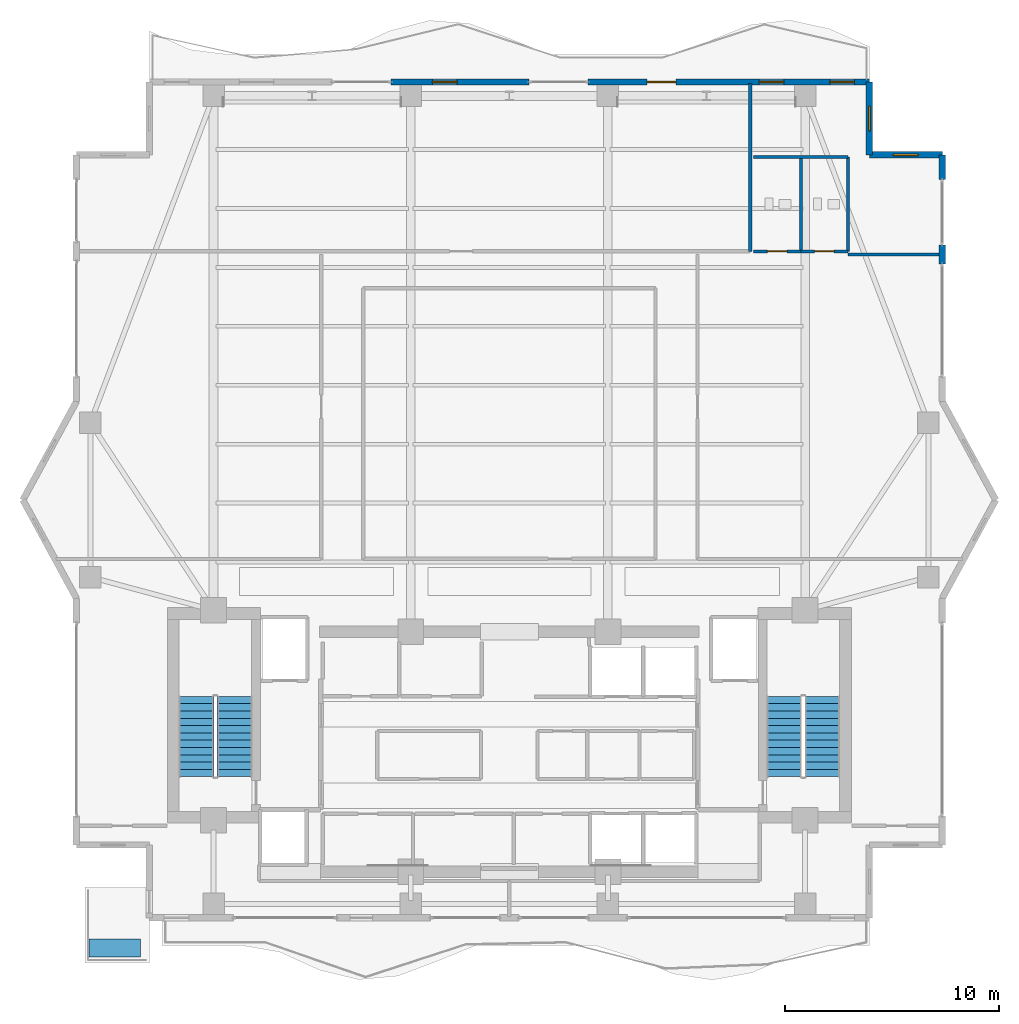
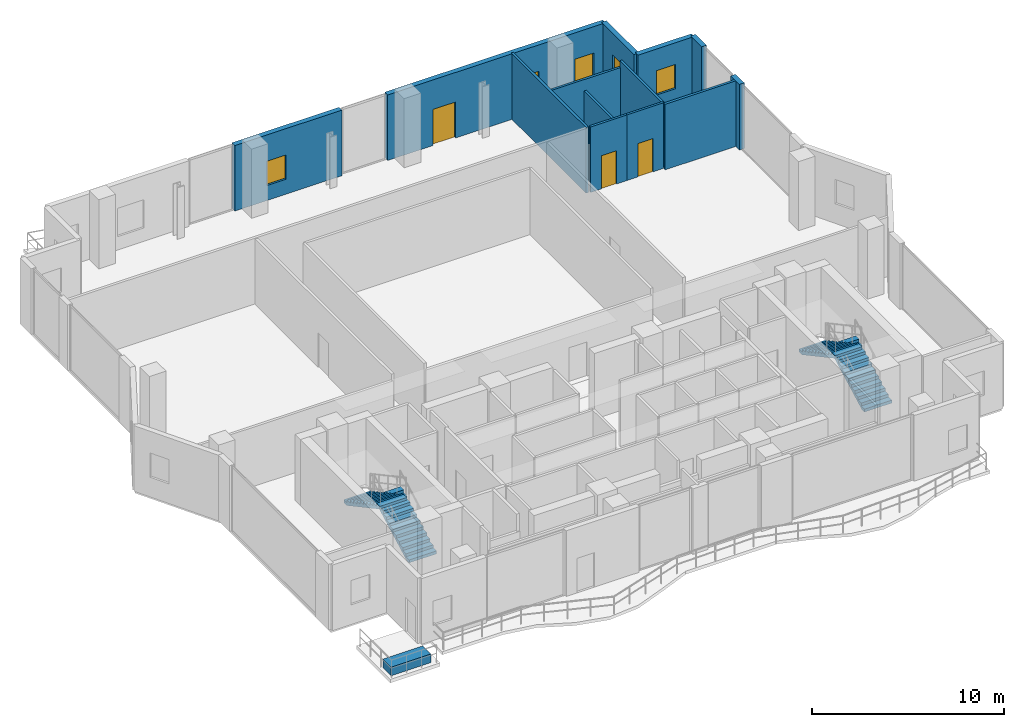
# One storey, part 21 of 24: 13 walls, 5 windows, 4 stair flights, 3 doors, 1 building element part, 8 openings, 2 elements without a shape of their own.
"""IFC4 building model written with IfcOpenShell, lengths in metres."""

from ifc_helpers import new_model, si_unit, direction, frame, frame_2d, origin, origin_2d, place, context, subcontext, project, spatial, polyline, rectangle, outline, extrude, material, layer, layer_set, type_object, element, fill, aggregate, save


model = new_model("IFC4")

# Units and contexts
model_context = context("Model", 3, precision=1e-05, world=origin(), true_north=direction((0.0, 1.0)))
body_context = subcontext(model_context, "Body", "Model", "MODEL_VIEW")
ifc_project = project(units=[si_unit("LENGTHUNIT", "METRE"), si_unit("AREAUNIT", "SQUARE_METRE"), si_unit("VOLUMEUNIT", "CUBIC_METRE"), si_unit("PLANEANGLEUNIT", "RADIAN"), si_unit("MASSUNIT", "GRAM", prefix="KILO")], contexts=[model_context])

# Site, building, storey
site_placement = place(None, origin())
site = spatial("IfcSite", under=ifc_project, at=site_placement, CompositionType="ELEMENT")
building_placement = place(site_placement, origin())
building = spatial("IfcBuilding", under=site, at=building_placement, Name="Zuhayl Quay Hotel", CompositionType="ELEMENT")
storey_placement = place(building_placement, frame((0.0, 0.0, 284.050048828125)))
storey = spatial("IfcBuildingStorey", under=building, at=storey_placement, Name="L72", CompositionType="ELEMENT", Elevation=284.050048828125)

# Wall, opening, window
ifc_material_1 = material(Name="Precast concrete C45/55", Category="concrete")
ifc_layer_1 = layer(ifc_material_1, 0.300048828125, Name="Precast concrete C45/55", Category="concrete")
ifc_layer_set_1 = layer_set([ifc_layer_1], Name="Precast concrete C45/55")
wall_type_1 = type_object("IfcWallType", Name="WL_EXT_300", PredefinedType="STANDARD", material=ifc_layer_set_1)
wall_1_placement = place(storey_placement, frame((-5.52001953125, 39.0, 0.0), z_axis=(0.0, 0.0, 1.0), x_axis=(1.0, 0.0, 0.0)))
wall_1 = element("IfcWall", 1, at=wall_1_placement, inside=storey, type_object=wall_type_1, Name="L72 Exterior Precast Wall ENV_L72_N_EW2", PredefinedType="STANDARD", context=body_context, shape_type="SweptSolid", body=[
    extrude(rectangle(XDim=6.43994140625, YDim=0.300048828125, at=frame_2d((3.219970703125, 0.0))), origin(), (0.0, 0.0, 1.0), 4.179931640625),
])
opening_1_placement = place(wall_1_placement, frame((1.93505859375, 0.0, 0.949951171875)))
opening_1 = element("IfcOpeningElement", 2, at=opening_1_placement, cuts=wall_1, Name="Opening W01N", PredefinedType="OPENING", context=body_context, shape_type="SweptSolid", body=[
    extrude(rectangle(XDim=1.14990234375, YDim=1.550048828125, at=frame_2d((0.574951171875, 0.77490234375))), frame((0.0, 0.159912109375, 0.0), z_axis=(0.0, -1.0, 0.0), x_axis=(1.0, 0.0, 0.0)), (0.0, 0.0, 1.0), 0.320068359375),
])
ifc_material_2 = material(Name="Dark Ceramic-Fritted Solar Glass", Category="glass")
window_type = type_object("IfcWindowType", Name="WN_NOTCH_1350", PartitioningType="SINGLE_PANEL", PredefinedType="WINDOW", material=ifc_material_2)
window_1_placement = place(opening_1_placement, origin())
window_1 = element("IfcWindow", 3, at=window_1_placement, inside=storey, type_object=window_type, Name="L72 Operable Facade Window 2-1", OverallHeight=1.550048828125, OverallWidth=1.14990234375, PartitioningType="SINGLE_PANEL", PredefinedType="WINDOW", context=body_context, shape_type="SweptSolid", body=[
    extrude(rectangle(XDim=1.14990234375, YDim=1.550048828125, at=frame_2d((0.574951171875, 0.77490234375))), frame((0.0, 0.030029296875, 0.0), z_axis=(0.0, -1.0, 0.0), x_axis=(1.0, 0.0, 0.0)), (0.0, 0.0, 1.0), 0.06005859375),
])
fill(opening_1, window_1)

# Wall, openings, door, windows
wall_2_placement = place(storey_placement, frame((3.679931640625, 39.0, 0.0), z_axis=(0.0, 0.0, 1.0), x_axis=(1.0, 0.0, 0.0)))
wall_2 = element("IfcWall", 4, at=wall_2_placement, inside=storey, type_object=wall_type_1, Name="L72 Exterior Precast Wall ENV_L72_N_EW3", PredefinedType="STANDARD", context=body_context, shape_type="SweptSolid", body=[
    extrude(rectangle(XDim=13.1201171875, YDim=0.300048828125, at=frame_2d((6.56005859375, 0.0))), origin(), (0.0, 0.0, 1.0), 4.179931640625),
])
opening_2_placement = place(wall_2_placement, frame((2.7451171875, 0.0, 0.0)))
opening_2 = element("IfcOpeningElement", 5, at=opening_2_placement, cuts=wall_2, Name="Opening DG2", PredefinedType="OPENING", context=body_context, shape_type="SweptSolid", body=[
    extrude(rectangle(XDim=1.35009765625, YDim=2.300048828125, at=frame_2d((0.675048828125, 1.14990234375))), frame((0.0, 0.159912109375, 0.0), z_axis=(0.0, -1.0, 0.0), x_axis=(1.0, 0.0, 0.0)), (0.0, 0.0, 1.0), 0.320068359375),
])
opening_3_placement = place(wall_2_placement, frame((7.97509765625, 0.0, 0.949951171875)))
opening_3 = element("IfcOpeningElement", 6, at=opening_3_placement, cuts=wall_2, Name="Opening W01N", PredefinedType="OPENING", context=body_context, shape_type="SweptSolid", body=[
    extrude(rectangle(XDim=1.14990234375, YDim=1.550048828125, at=frame_2d((0.574951171875, 0.77490234375))), frame((0.0, 0.159912109375, 0.0), z_axis=(0.0, -1.0, 0.0), x_axis=(1.0, 0.0, 0.0)), (0.0, 0.0, 1.0), 0.320068359375),
])
opening_4_placement = place(wall_2_placement, frame((11.27490234375, 0.0, 0.949951171875)))
opening_4 = element("IfcOpeningElement", 7, at=opening_4_placement, cuts=wall_2, Name="Opening W01N", PredefinedType="OPENING", context=body_context, shape_type="SweptSolid", body=[
    extrude(rectangle(XDim=1.14990234375, YDim=1.550048828125, at=frame_2d((0.574951171875, 0.77490234375))), frame((0.0, 0.159912109375, 0.0), z_axis=(0.0, -1.0, 0.0), x_axis=(1.0, 0.0, 0.0)), (0.0, 0.0, 1.0), 0.320068359375),
])
ifc_material_3 = material(Name="Anodised Aluminium and Dark Solar Glass", Category="aluminium")
door_type_1 = type_object("IfcDoorType", Name="DR_EXT_TERR_1350", OperationType="NOTDEFINED", PredefinedType="DOOR", material=ifc_material_3)
door_1_placement = place(opening_2_placement, origin())
door_1 = element("IfcDoor", 8, at=door_1_placement, inside=storey, type_object=door_type_1, Name="L72 North Rippling Balcony Door", OperationType="SINGLE_SWING_LEFT", OverallHeight=2.300048828125, OverallWidth=1.35009765625, PredefinedType="DOOR", context=body_context, shape_type="SweptSolid", body=[
    extrude(rectangle(XDim=1.35009765625, YDim=2.300048828125, at=frame_2d((0.675048828125, 1.14990234375))), frame((0.0, 0.02490234375, 0.0), z_axis=(0.0, -1.0, 0.0), x_axis=(1.0, 0.0, 0.0)), (0.0, 0.0, 1.0), 0.050048828125),
])
fill(opening_2, door_1)
window_2_placement = place(opening_3_placement, origin())
window_2 = element("IfcWindow", 9, at=window_2_placement, inside=storey, type_object=window_type, Name="L72 Operable Facade Window 3-1", OverallHeight=1.550048828125, OverallWidth=1.14990234375, PartitioningType="SINGLE_PANEL", PredefinedType="WINDOW", context=body_context, shape_type="SweptSolid", body=[
    extrude(rectangle(XDim=1.14990234375, YDim=1.550048828125, at=frame_2d((0.574951171875, 0.77490234375))), frame((0.0, 0.030029296875, 0.0), z_axis=(0.0, -1.0, 0.0), x_axis=(1.0, 0.0, 0.0)), (0.0, 0.0, 1.0), 0.06005859375),
])
fill(opening_3, window_2)
window_3_placement = place(opening_4_placement, origin())
window_3 = element("IfcWindow", 10, at=window_3_placement, inside=storey, type_object=window_type, Name="L72 Operable Facade Window 3-2", OverallHeight=1.550048828125, OverallWidth=1.14990234375, PartitioningType="SINGLE_PANEL", PredefinedType="WINDOW", context=body_context, shape_type="SweptSolid", body=[
    extrude(rectangle(XDim=1.14990234375, YDim=1.550048828125, at=frame_2d((0.574951171875, 0.77490234375))), frame((0.0, 0.030029296875, 0.0), z_axis=(0.0, -1.0, 0.0), x_axis=(1.0, 0.0, 0.0)), (0.0, 0.0, 1.0), 0.06005859375),
])
fill(opening_4, window_3)

# Wall, opening, window
wall_3_placement = place(storey_placement, frame((16.800048828125, 39.0, 0.0), z_axis=(0.0, 0.0, 1.0), x_axis=(0.0, -1.0, 0.0)))
wall_3 = element("IfcWall", 11, at=wall_3_placement, inside=storey, type_object=wall_type_1, Name="L72 Exterior Precast Wall ENV_L72_EW09", PredefinedType="STANDARD", context=body_context, shape_type="SweptSolid", body=[
    extrude(rectangle(XDim=3.39990234375, YDim=0.300048828125, at=frame_2d((1.699951171875, 0.0))), origin(), (0.0, 0.0, 1.0), 4.179931640625),
])
opening_5_placement = place(wall_3_placement, frame((1.125, 0.0, 1.25)))
opening_5 = element("IfcOpeningElement", 12, at=opening_5_placement, cuts=wall_3, Name="Opening W01N", PredefinedType="OPENING", context=body_context, shape_type="SweptSolid", body=[
    extrude(rectangle(XDim=1.14990234375, YDim=1.550048828125, at=frame_2d((0.574951171875, 0.77490234375))), frame((0.0, 0.159912109375, 0.0), z_axis=(0.0, -1.0, 0.0), x_axis=(1.0, 0.0, 0.0)), (0.0, 0.0, 1.0), 0.320068359375),
])
window_4_placement = place(opening_5_placement, origin())
window_4 = element("IfcWindow", 13, at=window_4_placement, inside=storey, type_object=window_type, Name="L72 Corner Notch Window 9", OverallHeight=1.550048828125, OverallWidth=1.14990234375, PartitioningType="SINGLE_PANEL", PredefinedType="WINDOW", context=body_context, shape_type="SweptSolid", body=[
    extrude(rectangle(XDim=1.14990234375, YDim=1.550048828125, at=frame_2d((0.574951171875, 0.77490234375))), frame((0.0, 0.030029296875, 0.0), z_axis=(0.0, -1.0, 0.0), x_axis=(1.0, 0.0, 0.0)), (0.0, 0.0, 1.0), 0.06005859375),
])
fill(opening_5, window_4)

wall_4_placement = place(storey_placement, frame((16.800048828125, 35.60009765625, 0.0), z_axis=(0.0, 0.0, 1.0), x_axis=(1.0, 0.0, 0.0)))
wall_4 = element("IfcWall", 14, at=wall_4_placement, inside=storey, type_object=wall_type_1, Name="L72 Exterior Precast Wall ENV_L72_EW10", PredefinedType="STANDARD", context=body_context, shape_type="SweptSolid", body=[
    extrude(rectangle(XDim=3.39990234375, YDim=0.300048828125, at=frame_2d((1.699951171875, 0.0))), origin(), (0.0, 0.0, 1.0), 4.179931640625),
])
opening_6_placement = place(wall_4_placement, frame((1.125, 0.0, 1.25)))
opening_6 = element("IfcOpeningElement", 15, at=opening_6_placement, cuts=wall_4, Name="Opening W01N", PredefinedType="OPENING", context=body_context, shape_type="SweptSolid", body=[
    extrude(rectangle(XDim=1.14990234375, YDim=1.550048828125, at=frame_2d((0.574951171875, 0.77490234375))), frame((0.0, 0.159912109375, 0.0), z_axis=(0.0, -1.0, 0.0), x_axis=(1.0, 0.0, 0.0)), (0.0, 0.0, 1.0), 0.320068359375),
])
window_5_placement = place(opening_6_placement, origin())
window_5 = element("IfcWindow", 16, at=window_5_placement, inside=storey, type_object=window_type, Name="L72 Corner Notch Window 10", OverallHeight=1.550048828125, OverallWidth=1.14990234375, PartitioningType="SINGLE_PANEL", PredefinedType="WINDOW", context=body_context, shape_type="SweptSolid", body=[
    extrude(rectangle(XDim=1.14990234375, YDim=1.550048828125, at=frame_2d((0.574951171875, 0.77490234375))), frame((0.0, 0.030029296875, 0.0), z_axis=(0.0, -1.0, 0.0), x_axis=(1.0, 0.0, 0.0)), (0.0, 0.0, 1.0), 0.06005859375),
])
fill(opening_6, window_5)

# Walls
wall_5_placement = place(storey_placement, frame((20.199951171875, 35.60009765625, 0.0), z_axis=(0.0, 0.0, 1.0), x_axis=(0.0, -1.0, 0.0)))
element("IfcWall", 17, at=wall_5_placement, inside=storey, type_object=wall_type_1, Name="L72 Exterior Precast Wall ENV_L72_E11_EW1", PredefinedType="STANDARD", context=body_context, shape_type="SweptSolid", body=[
    extrude(rectangle(XDim=1.150146484375, YDim=0.300048828125, at=frame_2d((0.5751953125, 0.0))), origin(), (0.0, 0.0, 1.0), 4.179931640625),
])
wall_6_placement = place(storey_placement, frame((20.199951171875, 31.39990234375, 0.0), z_axis=(0.0, 0.0, 1.0), x_axis=(0.0, -1.0, 0.0)))
element("IfcWall", 18, at=wall_6_placement, inside=storey, type_object=wall_type_1, Name="L72 Exterior Precast Wall ENV_L72_E11_EW2", PredefinedType="STANDARD", context=body_context, shape_type="SweptSolid", body=[
    extrude(rectangle(XDim=0.89990234375, YDim=0.300048828125, at=frame_2d((0.449951171875, 0.0))), origin(), (0.0, 0.0, 1.0), 4.179931640625),
])
ifc_material_4 = material(Name="Acoustic Gypsum Partition STC-58")
ifc_layer_2 = layer(ifc_material_4, 0.14990234375, Name="Acoustic Gypsum Partition STC-58")
ifc_layer_set_2 = layer_set([ifc_layer_2], Name="Acoustic Gypsum Partition STC-58")
wall_type_2 = type_object("IfcWallType", Name="WL_PART_150", PredefinedType="PARTITIONING", material=ifc_layer_set_2)
wall_7_placement = place(storey_placement, frame((11.239990234375, 31.10009765625, 0.0), z_axis=(0.0, 0.0, 1.0), x_axis=(0.0, 1.0, 0.0)))
element("IfcWall", 19, at=wall_7_placement, inside=storey, type_object=wall_type_2, Name="L72 Partition IW_L72_SKY_REST_E", PredefinedType="PARTITIONING", context=body_context, shape_type="SweptSolid", body=[
    extrude(rectangle(XDim=7.83984375, YDim=0.14990234375, at=frame_2d((3.919921875, 0.0))), origin(), (0.0, 0.0, 1.0), 4.179931640625),
])
wall_8_placement = place(storey_placement, frame((15.800048828125, 30.949951171875, 0.0), z_axis=(0.0, 0.0, 1.0), x_axis=(1.0, 0.0, 0.0)))
element("IfcWall", 20, at=wall_8_placement, inside=storey, type_object=wall_type_2, Name="L72 Partition IW_L72_SKY_KITCH_N", PredefinedType="PARTITIONING", context=body_context, shape_type="SweptSolid", body=[
    extrude(rectangle(XDim=4.33984375, YDim=0.14990234375, at=frame_2d((2.169921875, 0.0))), origin(), (0.0, 0.0, 1.0), 4.179931640625),
])

# Wall, opening, door
ifc_material_5 = material(Name="Moisture-Resistant Sanitarychase Gypsum")
ifc_layer_3 = layer(ifc_material_5, 0.135009765625, Name="Moisture-Resistant Sanitarychase Gypsum")
ifc_layer_set_3 = layer_set([ifc_layer_3], Name="Moisture-Resistant Sanitarychase Gypsum")
wall_type_3 = type_object("IfcWallType", Name="WL_PART_PLUMB_150", PredefinedType="PLUMBINGWALL", material=ifc_layer_set_3)
wall_9_placement = place(storey_placement, frame((11.39990234375, 31.10009765625, 0.0), z_axis=(0.0, 0.0, 1.0), x_axis=(1.0, 0.0, 0.0)))
wall_9 = element("IfcWall", 21, at=wall_9_placement, inside=storey, type_object=wall_type_3, Name="L72 Partition IW_L72_SWC_PUB_F", PredefinedType="PLUMBINGWALL", context=body_context, shape_type="SweptSolid", body=[
    extrude(rectangle(XDim=2.2001953125, YDim=0.135009765625, at=frame_2d((1.10009765625, 0.0))), origin(), (0.0, 0.0, 1.0), 4.179931640625),
])
opening_7_placement = place(wall_9_placement, frame((0.639892578125, 0.0, 0.0)))
opening_7 = element("IfcOpeningElement", 22, at=opening_7_placement, cuts=wall_9, Name="Opening D05", PredefinedType="OPENING", context=body_context, shape_type="SweptSolid", body=[
    extrude(rectangle(XDim=0.919921875, YDim=2.1201171875, at=frame_2d((0.4599609375, 1.06005859375))), frame((0.0, 0.077392578125, 0.0), z_axis=(0.0, -1.0, 0.0), x_axis=(1.0, 0.0, 0.0)), (0.0, 0.0, 1.0), 0.155029296875),
])
ifc_material_6 = material(Name="Solid Walnut Acoustic Fire Door")
door_type_2 = type_object("IfcDoorType", Name="DR_INT_950", OperationType="NOTDEFINED", PredefinedType="DOOR", material=ifc_material_6)
door_2_placement = place(opening_7_placement, origin())
door_2 = element("IfcDoor", 23, at=door_2_placement, inside=storey, type_object=door_type_2, Name="L72 Public Restroom Door", OperationType="SINGLE_SWING_RIGHT", OverallHeight=2.1201171875, OverallWidth=0.919921875, PredefinedType="DOOR", context=body_context, shape_type="SweptSolid", body=[
    extrude(rectangle(XDim=0.919921875, YDim=2.1201171875, at=frame_2d((0.4599609375, 1.06005859375))), frame((0.0, 0.02490234375, 0.0), z_axis=(0.0, -1.0, 0.0), x_axis=(1.0, 0.0, 0.0)), (0.0, 0.0, 1.0), 0.050048828125),
])
fill(opening_7, door_2)

wall_10_placement = place(storey_placement, frame((13.60009765625, 31.10009765625, 0.0), z_axis=(0.0, 0.0, 1.0), x_axis=(1.0, 0.0, 0.0)))
wall_10 = element("IfcWall", 24, at=wall_10_placement, inside=storey, type_object=wall_type_3, Name="L72 Partition IW_L72_SWC_ACC_F", PredefinedType="PLUMBINGWALL", context=body_context, shape_type="SweptSolid", body=[
    extrude(rectangle(XDim=2.199951171875, YDim=0.135009765625, at=frame_2d((1.10009765625, 0.0))), origin(), (0.0, 0.0, 1.0), 4.179931640625),
])
opening_8_placement = place(wall_10_placement, frame((0.639892578125, 0.0, 0.0)))
opening_8 = element("IfcOpeningElement", 25, at=opening_8_placement, cuts=wall_10, Name="Opening D05", PredefinedType="OPENING", context=body_context, shape_type="SweptSolid", body=[
    extrude(rectangle(XDim=0.919921875, YDim=2.1201171875, at=frame_2d((0.4599609375, 1.06005859375))), frame((0.0, 0.077392578125, 0.0), z_axis=(0.0, -1.0, 0.0), x_axis=(1.0, 0.0, 0.0)), (0.0, 0.0, 1.0), 0.155029296875),
])
door_3_placement = place(opening_8_placement, origin())
door_3 = element("IfcDoor", 26, at=door_3_placement, inside=storey, type_object=door_type_2, Name="L72 Accessible Wheelchair WC Door", OperationType="SINGLE_SWING_LEFT", OverallHeight=2.1201171875, OverallWidth=0.919921875, PredefinedType="DOOR", context=body_context, shape_type="SweptSolid", body=[
    extrude(rectangle(XDim=0.919921875, YDim=2.1201171875, at=frame_2d((0.4599609375, 1.06005859375))), frame((0.0, 0.02490234375, 0.0), z_axis=(0.0, -1.0, 0.0), x_axis=(1.0, 0.0, 0.0)), (0.0, 0.0, 1.0), 0.050048828125),
])
fill(opening_8, door_3)

# Walls
wall_11_placement = place(storey_placement, frame((11.39990234375, 35.5, 0.0), z_axis=(0.0, 0.0, 1.0), x_axis=(1.0, 0.0, 0.0)))
element("IfcWall", 27, at=wall_11_placement, inside=storey, type_object=wall_type_3, Name="L72 Partition IW_L72_SWC_BK", PredefinedType="PLUMBINGWALL", context=body_context, shape_type="SweptSolid", body=[
    extrude(rectangle(XDim=4.400146484375, YDim=0.135009765625, at=frame_2d((2.2001953125, 0.0))), origin(), (0.0, 0.0, 1.0), 3.77587890625),
])
wall_12_placement = place(storey_placement, frame((15.800048828125, 31.10009765625, 0.0), z_axis=(0.0, 0.0, 1.0), x_axis=(0.0, 1.0, 0.0)))
element("IfcWall", 28, at=wall_12_placement, inside=storey, type_object=wall_type_3, Name="L72 Partition IW_L72_SWC_E", PredefinedType="PLUMBINGWALL", context=body_context, shape_type="SweptSolid", body=[
    extrude(rectangle(XDim=4.39990234375, YDim=0.135009765625, at=frame_2d((2.199951171875, 0.0))), origin(), (0.0, 0.0, 1.0), 4.179931640625),
])
wall_13_placement = place(storey_placement, frame((13.60009765625, 31.10009765625, 0.0), z_axis=(0.0, 0.0, 1.0), x_axis=(0.0, 1.0, 0.0)))
element("IfcWall", 29, at=wall_13_placement, inside=storey, type_object=wall_type_3, Name="L72 Partition IW_L72_SWC_DIV", PredefinedType="PLUMBINGWALL", context=body_context, shape_type="SweptSolid", body=[
    extrude(rectangle(XDim=4.39990234375, YDim=0.135009765625, at=frame_2d((2.199951171875, 0.0))), origin(), (0.0, 0.0, 1.0), 3.06201171875),
])

# Stair, stair flights
ifc_material_7 = material(Name="Concrete C45/55", Category="concrete")
stair_type = type_object("IfcStairType", Name="ST_DOGLEG_TOWER", PredefinedType="HALF_TURN_STAIR", material=ifc_material_7)
stair_1_placement = place(storey_placement, origin())
stair_1 = element("IfcStair", 30, at=stair_1_placement, inside=storey, type_object=stair_type, Name="L72 Smokeproof Exit Stair ST1", PredefinedType="HALF_TURN_STAIR")
ifc_layer_4 = layer(ifc_material_7, 0.159912109375, Name="Concrete C45/55", Category="concrete")
ifc_layer_set_4 = layer_set([ifc_layer_4], Name="Concrete C45/55")
stair_flight_type = type_object("IfcStairFlightType", Name="SF_CONC_164", PredefinedType="STRAIGHT", material=ifc_layer_set_4)
stair_flight_1_placement = place(storey_placement, frame((-12.820068359375, 6.590087890625, 0.0), z_axis=(0.0, 0.0, 1.0), x_axis=(0.0, 1.0, 0.0)))
stair_flight_1 = element("IfcStairFlight", 31, at=stair_flight_1_placement, type_object=stair_flight_type, Name="ST1 flight 1", NumberOfRisers=12, NumberOfTreads=11, PredefinedType="STRAIGHT", RiserHeight=0.183333333, TreadLength=0.34, context=body_context, shape_type="SweptSolid", body=[
    extrude(outline(polyline([(0.0, 0.0), (0.0, 0.183349609375), (0.340087890625, 0.183349609375), (0.340087890625, 0.36669921875), (0.679931640625, 0.36669921875), (0.679931640625, 0.550048828125), (1.02001953125, 0.550048828125), (1.02001953125, 0.7333984375), (1.360107421875, 0.7333984375), (1.360107421875, 0.916748046875), (1.699951171875, 0.916748046875), (1.699951171875, 1.10009765625), (2.0400390625, 1.10009765625), (2.0400390625, 1.283447265625), (2.3798828125, 1.283447265625), (2.3798828125, 1.466552734375), (2.719970703125, 1.466552734375), (2.719970703125, 1.64990234375), (3.06005859375, 1.64990234375), (3.06005859375, 1.833251953125), (3.39990234375, 1.833251953125), (3.39990234375, 2.0166015625), (3.739990234375, 2.0166015625), (3.739990234375, 2.199951171875), (3.739990234375, 1.846435546875), (0.31591796875, 0.0), (0.0, 0.0)])), frame((0.0, 0.81982421875, 0.0), z_axis=(0.0, -1.0, 0.0), x_axis=(1.0, 0.0, 0.0)), (0.0, 0.0, 1.0), 1.639892578125),
])
stair_flight_2_placement = place(storey_placement, frame((-14.610107421875, 10.330078125, 2.199951171875), z_axis=(0.0, 0.0, 1.0), x_axis=(0.0, -1.0, 0.0)))
stair_flight_2 = element("IfcStairFlight", 32, at=stair_flight_2_placement, type_object=stair_flight_type, Name="ST1 flight 2", NumberOfRisers=12, NumberOfTreads=11, PredefinedType="STRAIGHT", RiserHeight=0.183333333, TreadLength=0.34, context=body_context, shape_type="SweptSolid", body=[
    extrude(outline(polyline([(0.0, 0.0), (0.0, 0.183349609375), (0.340087890625, 0.183349609375), (0.340087890625, 0.36669921875), (0.679931640625, 0.36669921875), (0.679931640625, 0.550048828125), (1.02001953125, 0.550048828125), (1.02001953125, 0.7333984375), (1.360107421875, 0.7333984375), (1.360107421875, 0.916748046875), (1.699951171875, 0.916748046875), (1.699951171875, 1.10009765625), (2.0400390625, 1.10009765625), (2.0400390625, 1.283447265625), (2.3798828125, 1.283447265625), (2.3798828125, 1.466552734375), (2.719970703125, 1.466552734375), (2.719970703125, 1.64990234375), (3.06005859375, 1.64990234375), (3.06005859375, 1.833251953125), (3.39990234375, 1.833251953125), (3.39990234375, 2.0166015625), (3.739990234375, 2.0166015625), (3.739990234375, 2.199951171875), (3.739990234375, 1.846435546875), (0.31591796875, 0.0), (0.0, 0.0)])), frame((0.0, 0.81982421875, 0.0), z_axis=(0.0, -1.0, 0.0), x_axis=(1.0, 0.0, 0.0)), (0.0, 0.0, 1.0), 1.639892578125),
])
aggregate(stair_1, [stair_flight_1, stair_flight_2])

stair_2_placement = place(storey_placement, origin())
stair_2 = element("IfcStair", 33, at=stair_2_placement, inside=storey, type_object=stair_type, Name="L72 Smokeproof Exit Stair ST2", PredefinedType="HALF_TURN_STAIR")
stair_flight_3_placement = place(storey_placement, frame((14.610107421875, 6.590087890625, 0.0), z_axis=(0.0, 0.0, 1.0), x_axis=(0.0, 1.0, 0.0)))
stair_flight_3 = element("IfcStairFlight", 34, at=stair_flight_3_placement, type_object=stair_flight_type, Name="ST2 flight 1", NumberOfRisers=12, NumberOfTreads=11, PredefinedType="STRAIGHT", RiserHeight=0.183333333, TreadLength=0.34, context=body_context, shape_type="SweptSolid", body=[
    extrude(outline(polyline([(0.0, 0.0), (0.0, 0.183349609375), (0.340087890625, 0.183349609375), (0.340087890625, 0.36669921875), (0.679931640625, 0.36669921875), (0.679931640625, 0.550048828125), (1.02001953125, 0.550048828125), (1.02001953125, 0.7333984375), (1.360107421875, 0.7333984375), (1.360107421875, 0.916748046875), (1.699951171875, 0.916748046875), (1.699951171875, 1.10009765625), (2.0400390625, 1.10009765625), (2.0400390625, 1.283447265625), (2.3798828125, 1.283447265625), (2.3798828125, 1.466552734375), (2.719970703125, 1.466552734375), (2.719970703125, 1.64990234375), (3.06005859375, 1.64990234375), (3.06005859375, 1.833251953125), (3.39990234375, 1.833251953125), (3.39990234375, 2.0166015625), (3.739990234375, 2.0166015625), (3.739990234375, 2.199951171875), (3.739990234375, 1.846435546875), (0.31591796875, 0.0), (0.0, 0.0)])), frame((0.0, 0.81982421875, 0.0), z_axis=(0.0, -1.0, 0.0), x_axis=(1.0, 0.0, 0.0)), (0.0, 0.0, 1.0), 1.639892578125),
])
stair_flight_4_placement = place(storey_placement, frame((12.820068359375, 10.330078125, 2.199951171875), z_axis=(0.0, 0.0, 1.0), x_axis=(0.0, -1.0, 0.0)))
stair_flight_4 = element("IfcStairFlight", 35, at=stair_flight_4_placement, type_object=stair_flight_type, Name="ST2 flight 2", NumberOfRisers=12, NumberOfTreads=11, PredefinedType="STRAIGHT", RiserHeight=0.183333333, TreadLength=0.34, context=body_context, shape_type="SweptSolid", body=[
    extrude(outline(polyline([(0.0, 0.0), (0.0, 0.183349609375), (0.340087890625, 0.183349609375), (0.340087890625, 0.36669921875), (0.679931640625, 0.36669921875), (0.679931640625, 0.550048828125), (1.02001953125, 0.550048828125), (1.02001953125, 0.7333984375), (1.360107421875, 0.7333984375), (1.360107421875, 0.916748046875), (1.699951171875, 0.916748046875), (1.699951171875, 1.10009765625), (2.0400390625, 1.10009765625), (2.0400390625, 1.283447265625), (2.3798828125, 1.283447265625), (2.3798828125, 1.466552734375), (2.719970703125, 1.466552734375), (2.719970703125, 1.64990234375), (3.06005859375, 1.64990234375), (3.06005859375, 1.833251953125), (3.39990234375, 1.833251953125), (3.39990234375, 2.0166015625), (3.739990234375, 2.0166015625), (3.739990234375, 2.199951171875), (3.739990234375, 1.846435546875), (0.31591796875, 0.0), (0.0, 0.0)])), frame((0.0, 0.81982421875, 0.0), z_axis=(0.0, -1.0, 0.0), x_axis=(1.0, 0.0, 0.0)), (0.0, 0.0, 1.0), 1.639892578125),
])
aggregate(stair_2, [stair_flight_3, stair_flight_4])

# Building element part
ifc_layer_5 = layer(ifc_material_1, 0.550048828125, Name="Precast concrete C45/55", Category="concrete")
ifc_layer_set_5 = layer_set([ifc_layer_5], Name="Precast concrete C45/55")
building_element_part_type = type_object("IfcBuildingElementPartType", Name="PT_PLANTER_KERB", PredefinedType="PRECASTPANEL", material=ifc_layer_set_5)
building_element_part_placement = place(storey_placement, frame((-18.409912109375, -1.409912109375, 0.0), z_axis=(0.0, 0.0, 1.0), x_axis=(1.0, 0.0, 0.0)))
element("IfcBuildingElementPart", 36, at=building_element_part_placement, inside=storey, type_object=building_element_part_type, Name="L72 Spiral Sky-Terrace Planter Box SW", PredefinedType="PRECASTPANEL", context=body_context, shape_type="SweptSolid", body=[
    extrude(rectangle(XDim=2.39990234375, YDim=0.85009765625, at=origin_2d()), origin(), (0.0, 0.0, 1.0), 0.550048828125),
])

save(model, "model.ifc")
